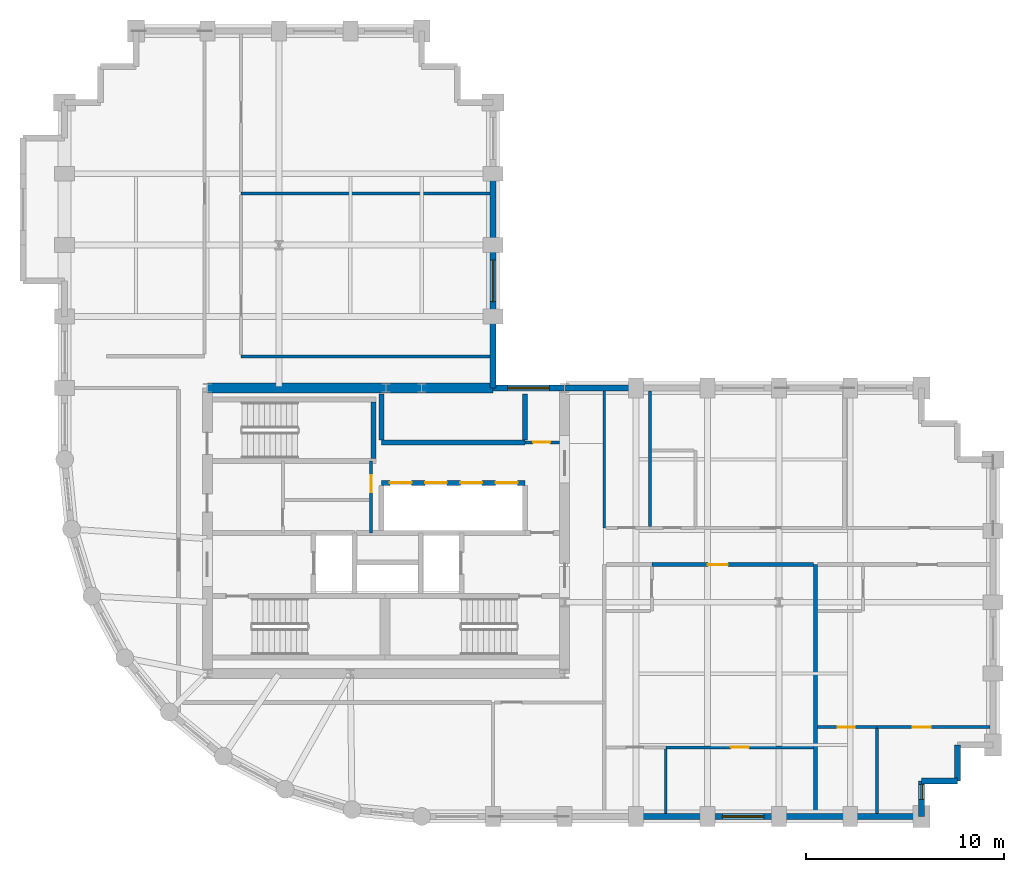
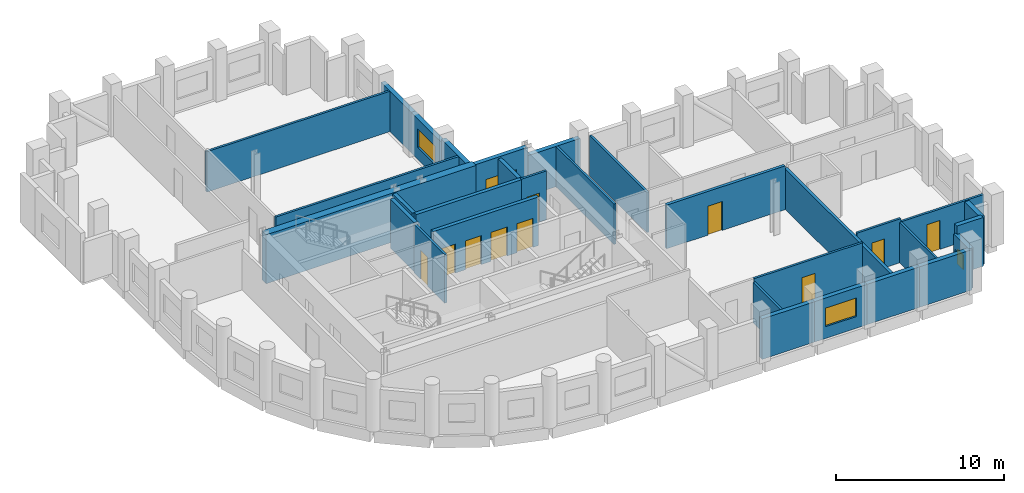
# One storey, part 5 of 8: 31 walls, 10 doors, 4 windows, 14 openings.
"""IFC4 building model written with IfcOpenShell, lengths in metres."""

from ifc_helpers import new_model, si_unit, direction, frame, frame_2d, origin, place, context, subcontext, project, spatial, rectangle, extrude, material, layer, layer_set, type_object, element, fill, save


model = new_model("IFC4")

# Units and contexts
model_context = context("Model", 3, precision=1e-05, world=origin(), true_north=direction((0.0, 1.0)))
body_context = subcontext(model_context, "Body", "Model", "MODEL_VIEW")
ifc_project = project(units=[si_unit("LENGTHUNIT", "METRE"), si_unit("AREAUNIT", "SQUARE_METRE"), si_unit("VOLUMEUNIT", "CUBIC_METRE"), si_unit("PLANEANGLEUNIT", "RADIAN"), si_unit("MASSUNIT", "GRAM", prefix="KILO")], contexts=[model_context])

# Site, building, storey
site_placement = place(None, origin())
site = spatial("IfcSite", under=ifc_project, at=site_placement, CompositionType="ELEMENT")
building_placement = place(site_placement, origin())
building = spatial("IfcBuilding", under=site, at=building_placement, Name="Solnavia Interchange Tower", CompositionType="ELEMENT")
storey_placement = place(building_placement, frame((0.0, 0.0, 161.800048828125)))
storey = spatial("IfcBuildingStorey", under=building, at=storey_placement, Name="L40", CompositionType="ELEMENT", Elevation=161.800048828125)

# Wall
ifc_material_1 = material(Name="Gypsum Acoustic Twin-Stud & Mineral Wool", Category="gypsum")
ifc_layer_1 = layer(ifc_material_1, 0.199951171875)
ifc_layer_set_1 = layer_set([ifc_layer_1], Name="Gypsum Acoustic Twin-Stud & Mineral Wool")
wall_type_1 = type_object("IfcWallType", Name="Wall-ApartmentParty-200", PredefinedType="PARTITIONING", material=ifc_layer_set_1)
wall_1_placement = place(storey_placement, frame((45.050048828125, 3.75390625, 0.0), z_axis=(0.0, 0.0, 1.0), x_axis=(0.0, 1.0, 0.0)))
element("IfcWall", 1, at=wall_1_placement, inside=storey, type_object=wall_type_1, Name="PTW-L40-13 Interior partition wall", PredefinedType="PARTITIONING", context=body_context, shape_type="SweptSolid", body=[
    extrude(rectangle(XDim=12.546142578125, YDim=0.199951171875, at=frame_2d((6.27294921875, 0.0))), origin(), (0.0, 0.0, 1.0), 2.929931640625),
])

# Wall, opening, door
wall_2_placement = place(storey_placement, frame((36.800048828125, 16.300048828125, 0.0), z_axis=(0.0, 0.0, 1.0), x_axis=(1.0, 0.0, 0.0)))
wall_2 = element("IfcWall", 2, at=wall_2_placement, inside=storey, type_object=wall_type_1, Name="PTW-L40-17 Interior partition wall", PredefinedType="PARTITIONING", context=body_context, shape_type="SweptSolid", body=[
    extrude(rectangle(XDim=8.14599609375, YDim=0.199951171875, at=frame_2d((4.072998046875, 0.0))), origin(), (0.0, 0.0, 1.0), 3.169921875),
])
opening_1_placement = place(wall_2_placement, frame((2.8291015625, 0.0, 0.0)))
opening_1 = element("IfcOpeningElement", 3, at=opening_1_placement, cuts=wall_2, Name="Opening DR-06", PredefinedType="OPENING", context=body_context, shape_type="SweptSolid", body=[
    extrude(rectangle(XDim=1.0, YDim=2.10009765625, at=frame_2d((0.5, 1.050048828125))), frame((0.0, 0.10986328125, 0.0), z_axis=(0.0, -1.0, 0.0), x_axis=(1.0, 0.0, 0.0)), (0.0, 0.0, 1.0), 0.219970703125),
])
ifc_material_2 = material(Name="Engineered Timber Acoustic Fire Door", Category="wood")
door_type_1 = type_object("IfcDoorType", Name="Door-FlatEntry-1000x2100", OperationType="SINGLE_SWING_LEFT", PredefinedType="DOOR", material=ifc_material_2)
door_1_placement = place(opening_1_placement, origin())
door_1 = element("IfcDoor", 4, at=door_1_placement, inside=storey, type_object=door_type_1, Name="DR-L40-06 Interior room door", OperationType="SINGLE_SWING_LEFT", OverallHeight=2.10009765625, OverallWidth=1.0, PredefinedType="DOOR", context=body_context, shape_type="SweptSolid", body=[
    extrude(rectangle(XDim=1.0, YDim=2.10009765625, at=frame_2d((0.5, 1.050048828125))), frame((0.0, 0.02490234375, 0.0), z_axis=(0.0, -1.0, 0.0), x_axis=(1.0, 0.0, 0.0)), (0.0, 0.0, 1.0), 0.050048828125),
])
fill(opening_1, door_1)

# Wall
ifc_material_3 = material(Name="Concrete C40/50", Category="concrete")
ifc_layer_2 = layer(ifc_material_3, 0.300048828125)
ifc_layer_set_2 = layer_set([ifc_layer_2], Name="Concrete C40/50")
wall_type_2 = type_object("IfcWallType", Name="Wall-ExtSpandrel-300", PredefinedType="STANDARD", material=ifc_layer_set_2)
wall_3_placement = place(storey_placement, frame((39.60009765625, 3.60009765625, 0.0), z_axis=(0.0, 0.0, 1.0), x_axis=(-1.0, 0.0, 0.0)))
element("IfcWall", 5, at=wall_3_placement, inside=storey, type_object=wall_type_2, Name="EXW-L40-04 Exterior precast spandrel wall", PredefinedType="STANDARD", context=body_context, shape_type="SweptSolid", body=[
    extrude(rectangle(XDim=3.60009765625, YDim=0.300048828125, at=frame_2d((1.800048828125, 0.0))), origin(), (0.0, 0.0, 1.0), 2.929931640625),
])

# Wall, opening, window
wall_4_placement = place(storey_placement, frame((43.199951171875, 3.60009765625, 0.0), z_axis=(0.0, 0.0, 1.0), x_axis=(-1.0, 0.0, 0.0)))
wall_4 = element("IfcWall", 6, at=wall_4_placement, inside=storey, type_object=wall_type_2, Name="EXW-L40-05 Exterior precast spandrel wall", PredefinedType="STANDARD", context=body_context, shape_type="SweptSolid", body=[
    extrude(rectangle(XDim=3.599853515625, YDim=0.300048828125, at=frame_2d((1.7998046875, 0.0))), origin(), (0.0, 0.0, 1.0), 2.929931640625),
])
opening_2_placement = place(wall_4_placement, frame((0.75, 0.0, 0.85009765625)))
opening_2 = element("IfcOpeningElement", 7, at=opening_2_placement, cuts=wall_4, Name="Opening WIN-01", PredefinedType="OPENING", context=body_context, shape_type="SweptSolid", body=[
    extrude(rectangle(XDim=2.10009765625, YDim=1.35009765625, at=frame_2d((1.050048828125, 0.675048828125))), frame((0.0, 0.16015625, 0.0), z_axis=(0.0, -1.0, 0.0), x_axis=(1.0, 0.0, 0.0)), (0.0, 0.0, 1.0), 0.320068359375),
])
ifc_material_4 = material(Name="Thermal-Break Aluminium & Low-E Glass", Category="aluminium")
window_type_1 = type_object("IfcWindowType", Name="Window-Ribbon-2100x1350", PartitioningType="SINGLE_PANEL", PredefinedType="WINDOW", material=ifc_material_4)
window_1_placement = place(opening_2_placement, origin())
window_1 = element("IfcWindow", 8, at=window_1_placement, inside=storey, type_object=window_type_1, Name="WIN-L40-05 Facade ribbon window", OverallHeight=1.35009765625, OverallWidth=2.10009765625, PartitioningType="SINGLE_PANEL", PredefinedType="WINDOW", context=body_context, shape_type="SweptSolid", body=[
    extrude(rectangle(XDim=2.10009765625, YDim=1.35009765625, at=frame_2d((1.050048828125, 0.675048828125))), frame((0.0, 0.030029296875, 0.0), z_axis=(0.0, -1.0, 0.0), x_axis=(1.0, 0.0, 0.0)), (0.0, 0.0, 1.0), 0.06005859375),
])
fill(opening_2, window_1)

# Walls
wall_5_placement = place(storey_placement, frame((46.800048828125, 3.60009765625, 0.0), z_axis=(0.0, 0.0, 1.0), x_axis=(-1.0, 0.0, 0.0)))
element("IfcWall", 9, at=wall_5_placement, inside=storey, type_object=wall_type_2, Name="EXW-L40-06 Exterior precast spandrel wall", PredefinedType="STANDARD", context=body_context, shape_type="SweptSolid", body=[
    extrude(rectangle(XDim=3.60009765625, YDim=0.300048828125, at=frame_2d((1.800048828125, 0.0))), origin(), (0.0, 0.0, 1.0), 2.929931640625),
])
wall_6_placement = place(storey_placement, frame((50.39990234375, 3.60009765625, 0.0), z_axis=(0.0, 0.0, 1.0), x_axis=(-1.0, 0.0, 0.0)))
element("IfcWall", 10, at=wall_6_placement, inside=storey, type_object=wall_type_2, Name="EXW-L40-07 Exterior precast spandrel wall", PredefinedType="STANDARD", context=body_context, shape_type="SweptSolid", body=[
    extrude(rectangle(XDim=3.599853515625, YDim=0.300048828125, at=frame_2d((1.7998046875, 0.0))), origin(), (0.0, 0.0, 1.0), 2.929931640625),
])

# Wall, opening, window
wall_7_placement = place(storey_placement, frame((50.39990234375, 5.39990234375, 0.0), z_axis=(0.0, 0.0, 1.0), x_axis=(0.0, -1.0, 0.0)))
wall_7 = element("IfcWall", 11, at=wall_7_placement, inside=storey, type_object=wall_type_2, Name="EXW-L40-08 Exterior precast spandrel wall", PredefinedType="STANDARD", context=body_context, shape_type="SweptSolid", body=[
    extrude(rectangle(XDim=1.7998046875, YDim=0.300048828125, at=frame_2d((0.89990234375, 0.0))), origin(), (0.0, 0.0, 1.0), 2.929931640625),
])
opening_3_placement = place(wall_7_placement, frame((0.179931640625, 0.0, 0.85009765625)))
opening_3 = element("IfcOpeningElement", 12, at=opening_3_placement, cuts=wall_7, Name="Opening WIN-08", PredefinedType="OPENING", context=body_context, shape_type="SweptSolid", body=[
    extrude(rectangle(XDim=0.75, YDim=1.050048828125, at=frame_2d((0.375, 0.52490234375))), frame((0.0, 0.16015625, 0.0), z_axis=(0.0, -1.0, 0.0), x_axis=(1.0, 0.0, 0.0)), (0.0, 0.0, 1.0), 0.320068359375),
])
window_type_2 = type_object("IfcWindowType", Name="Window-Bedroom-750x1050", PartitioningType="SINGLE_PANEL", PredefinedType="WINDOW", material=ifc_material_4)
window_2_placement = place(opening_3_placement, origin())
window_2 = element("IfcWindow", 13, at=window_2_placement, inside=storey, type_object=window_type_2, Name="WIN-L40-DW01 Dwelling bedroom window", OverallHeight=1.050048828125, OverallWidth=0.75, PartitioningType="SINGLE_PANEL", PredefinedType="WINDOW", context=body_context, shape_type="SweptSolid", body=[
    extrude(rectangle(XDim=0.75, YDim=1.050048828125, at=frame_2d((0.375, 0.52490234375))), frame((0.0, 0.030029296875, 0.0), z_axis=(0.0, -1.0, 0.0), x_axis=(1.0, 0.0, 0.0)), (0.0, 0.0, 1.0), 0.06005859375),
])
fill(opening_3, window_2)

# Walls
for number, where, z_axis, x_axis, name in (
    (14, (52.199951171875, 5.39990234375, 0.0), (0.0, 0.0, 1.0), (-1.0, 0.0, 0.0), "EXW-L40-09 Exterior precast spandrel wall"),
    (15, (52.199951171875, 7.199951171875, 0.0), (0.0, 0.0, 1.0), (0.0, -1.0, 0.0), "EXW-L40-10 Exterior precast spandrel wall"),
):
    element("IfcWall", number, at=place(storey_placement, frame(where, z_axis=z_axis, x_axis=x_axis)), inside=storey, type_object=wall_type_2, Name=name, PredefinedType="STANDARD", context=body_context, shape_type="SweptSolid", body=[
        extrude(rectangle(XDim=1.800048828125, YDim=0.300048828125, at=frame_2d((0.89990234375, 0.0))), origin(), (0.0, 0.0, 1.0), 3.534912109375),
    ])
wall_8_placement = place(storey_placement, frame((32.39990234375, 25.199951171875, 0.0), z_axis=(0.0, 0.0, 1.0), x_axis=(1.0, 0.0, 0.0)))
element("IfcWall", 16, at=wall_8_placement, inside=storey, type_object=wall_type_2, Name="EXW-L40-24 Exterior precast spandrel wall", PredefinedType="STANDARD", context=body_context, shape_type="SweptSolid", body=[
    extrude(rectangle(XDim=3.60009765625, YDim=0.300048828125, at=frame_2d((1.800048828125, 0.0))), origin(), (0.0, 0.0, 1.0), 2.929931640625),
])

# Wall, opening, window
wall_9_placement = place(storey_placement, frame((28.800048828125, 25.199951171875, 0.0), z_axis=(0.0, 0.0, 1.0), x_axis=(1.0, 0.0, 0.0)))
wall_9 = element("IfcWall", 17, at=wall_9_placement, inside=storey, type_object=wall_type_2, Name="EXW-L40-25 Exterior precast spandrel wall", PredefinedType="STANDARD", context=body_context, shape_type="SweptSolid", body=[
    extrude(rectangle(XDim=3.599853515625, YDim=0.300048828125, at=frame_2d((1.7998046875, 0.0))), origin(), (0.0, 0.0, 1.0), 3.534912109375),
])
opening_4_placement = place(wall_9_placement, frame((0.73388671875, 0.0, 0.85009765625)))
opening_4 = element("IfcOpeningElement", 18, at=opening_4_placement, cuts=wall_9, Name="Opening WIN-01", PredefinedType="OPENING", context=body_context, shape_type="SweptSolid", body=[
    extrude(rectangle(XDim=2.10009765625, YDim=1.35009765625, at=frame_2d((1.050048828125, 0.675048828125))), frame((0.0, 0.16015625, 0.0), z_axis=(0.0, -1.0, 0.0), x_axis=(1.0, 0.0, 0.0)), (0.0, 0.0, 1.0), 0.320068359375),
])
window_3_placement = place(opening_4_placement, origin())
window_3 = element("IfcWindow", 19, at=window_3_placement, inside=storey, type_object=window_type_1, Name="WIN-L40-25 Facade ribbon window", OverallHeight=1.35009765625, OverallWidth=2.10009765625, PartitioningType="SINGLE_PANEL", PredefinedType="WINDOW", context=body_context, shape_type="SweptSolid", body=[
    extrude(rectangle(XDim=2.10009765625, YDim=1.35009765625, at=frame_2d((1.050048828125, 0.675048828125))), frame((0.0, 0.030029296875, 0.0), z_axis=(0.0, -1.0, 0.0), x_axis=(1.0, 0.0, 0.0)), (0.0, 0.0, 1.0), 0.06005859375),
])
fill(opening_4, window_3)

# Wall
wall_10_placement = place(storey_placement, frame((28.800048828125, 28.800048828125, 0.0), z_axis=(0.0, 0.0, 1.0), x_axis=(0.0, -1.0, 0.0)))
element("IfcWall", 20, at=wall_10_placement, inside=storey, type_object=wall_type_2, Name="EXW-L40-26 Exterior precast spandrel wall", PredefinedType="STANDARD", context=body_context, shape_type="SweptSolid", body=[
    extrude(rectangle(XDim=3.60009765625, YDim=0.300048828125, at=frame_2d((1.800048828125, 0.0))), origin(), (0.0, 0.0, 1.0), 3.169921875),
])

# Wall, opening, window
wall_11_placement = place(storey_placement, frame((28.800048828125, 32.39990234375, 0.0), z_axis=(0.0, 0.0, 1.0), x_axis=(0.0, -1.0, 0.0)))
wall_11 = element("IfcWall", 21, at=wall_11_placement, inside=storey, type_object=wall_type_2, Name="EXW-L40-27 Exterior precast spandrel wall", PredefinedType="STANDARD", context=body_context, shape_type="SweptSolid", body=[
    extrude(rectangle(XDim=3.599853515625, YDim=0.300048828125, at=frame_2d((1.7998046875, 0.0))), origin(), (0.0, 0.0, 1.0), 2.929931640625),
])
opening_5_placement = place(wall_11_placement, frame((0.75, 0.0, 0.85009765625)))
opening_5 = element("IfcOpeningElement", 22, at=opening_5_placement, cuts=wall_11, Name="Opening WIN-01", PredefinedType="OPENING", context=body_context, shape_type="SweptSolid", body=[
    extrude(rectangle(XDim=2.10009765625, YDim=1.35009765625, at=frame_2d((1.050048828125, 0.675048828125))), frame((0.0, 0.16015625, 0.0), z_axis=(0.0, -1.0, 0.0), x_axis=(1.0, 0.0, 0.0)), (0.0, 0.0, 1.0), 0.320068359375),
])
window_4_placement = place(opening_5_placement, origin())
window_4 = element("IfcWindow", 23, at=window_4_placement, inside=storey, type_object=window_type_1, Name="WIN-L40-27 Facade ribbon window", OverallHeight=1.35009765625, OverallWidth=2.10009765625, PartitioningType="SINGLE_PANEL", PredefinedType="WINDOW", context=body_context, shape_type="SweptSolid", body=[
    extrude(rectangle(XDim=2.10009765625, YDim=1.35009765625, at=frame_2d((1.050048828125, 0.675048828125))), frame((0.0, 0.030029296875, 0.0), z_axis=(0.0, -1.0, 0.0), x_axis=(1.0, 0.0, 0.0)), (0.0, 0.0, 1.0), 0.06005859375),
])
fill(opening_5, window_4)

# Wall
wall_12_placement = place(storey_placement, frame((28.800048828125, 36.0, 0.0), z_axis=(0.0, 0.0, 1.0), x_axis=(0.0, -1.0, 0.0)))
element("IfcWall", 24, at=wall_12_placement, inside=storey, type_object=wall_type_2, Name="EXW-L40-28 Exterior precast spandrel wall", PredefinedType="STANDARD", context=body_context, shape_type="SweptSolid", body=[
    extrude(rectangle(XDim=3.60009765625, YDim=0.300048828125, at=frame_2d((1.800048828125, 0.0))), origin(), (0.0, 0.0, 1.0), 2.929931640625),
])

# Wall, opening, door
ifc_material_5 = material(Name="Gypsum Plasterboard & Steel Stud", Category="steel")
ifc_layer_3 = layer(ifc_material_5, 0.14990234375)
ifc_layer_set_3 = layer_set([ifc_layer_3], Name="Gypsum Plasterboard & Steel Stud")
wall_type_3 = type_object("IfcWallType", Name="Wall-Partition-150", PredefinedType="PARTITIONING", material=ifc_layer_set_3)
wall_13_placement = place(storey_placement, frame((22.64990234375, 17.89990234375, 0.0), z_axis=(0.0, 0.0, 1.0), x_axis=(0.0, 1.0, 0.0)))
wall_13 = element("IfcWall", 25, at=wall_13_placement, inside=storey, type_object=wall_type_3, Name="CSW-L40-E Core shaft wall", PredefinedType="PARTITIONING", context=body_context, shape_type="SweptSolid", body=[
    extrude(rectangle(XDim=3.625, YDim=0.14990234375, at=frame_2d((1.8125, 0.0))), origin(), (0.0, 0.0, 1.0), 3.534912109375),
])
opening_6_placement = place(wall_13_placement, frame((2.050048828125, 0.0, 0.0)))
opening_6 = element("IfcOpeningElement", 26, at=opening_6_placement, cuts=wall_13, Name="Opening DR-10", PredefinedType="OPENING", context=body_context, shape_type="SweptSolid", body=[
    extrude(rectangle(XDim=0.85009765625, YDim=2.10009765625, at=frame_2d((0.425048828125, 1.050048828125))), frame((0.0, 0.0849609375, 0.0), z_axis=(0.0, -1.0, 0.0), x_axis=(1.0, 0.0, 0.0)), (0.0, 0.0, 1.0), 0.169921875),
])
ifc_material_6 = material(Name="Moisture-Resistant Timber Door", Category="wood")
door_type_2 = type_object("IfcDoorType", Name="Door-Bathroom-850x2100", OperationType="SINGLE_SWING_RIGHT", PredefinedType="DOOR", material=ifc_material_6)
door_2_placement = place(opening_6_placement, origin())
door_2 = element("IfcDoor", 27, at=door_2_placement, inside=storey, type_object=door_type_2, Name="DR-L40-CS3 Core fire door", OperationType="SINGLE_SWING_LEFT", OverallHeight=2.10009765625, OverallWidth=0.85009765625, PredefinedType="DOOR", context=body_context, shape_type="SweptSolid", body=[
    extrude(rectangle(XDim=0.85009765625, YDim=2.10009765625, at=frame_2d((0.425048828125, 1.050048828125))), frame((0.0, 0.02490234375, 0.0), z_axis=(0.0, -1.0, 0.0), x_axis=(1.0, 0.0, 0.0)), (0.0, 0.0, 1.0), 0.050048828125),
])
fill(opening_6, door_2)

wall_14_placement = place(storey_placement, frame((30.39990234375, 22.4599609375, 0.0), z_axis=(0.0, 0.0, 1.0), x_axis=(1.0, 0.0, 0.0)))
wall_14 = element("IfcWall", 28, at=wall_14_placement, inside=storey, type_object=wall_type_3, Name="CSW-L40-NE-S Core shaft wall", PredefinedType="PARTITIONING", context=body_context, shape_type="SweptSolid", body=[
    extrude(rectangle(XDim=1.75, YDim=0.14990234375, at=frame_2d((0.875, 0.0))), origin(), (0.0, 0.0, 1.0), 3.534912109375),
])
opening_7_placement = place(wall_14_placement, frame((0.419921875, 0.0, 0.0)))
opening_7 = element("IfcOpeningElement", 29, at=opening_7_placement, cuts=wall_14, Name="Opening DR-10", PredefinedType="OPENING", context=body_context, shape_type="SweptSolid", body=[
    extrude(rectangle(XDim=0.85009765625, YDim=2.10009765625, at=frame_2d((0.425048828125, 1.050048828125))), frame((0.0, 0.0849609375, 0.0), z_axis=(0.0, -1.0, 0.0), x_axis=(1.0, 0.0, 0.0)), (0.0, 0.0, 1.0), 0.169921875),
])
door_3_placement = place(opening_7_placement, origin())
door_3 = element("IfcDoor", 30, at=door_3_placement, inside=storey, type_object=door_type_2, Name="DR-L40-CS4 Core fire door", OperationType="SINGLE_SWING_RIGHT", OverallHeight=2.10009765625, OverallWidth=0.85009765625, PredefinedType="DOOR", context=body_context, shape_type="SweptSolid", body=[
    extrude(rectangle(XDim=0.85009765625, YDim=2.10009765625, at=frame_2d((0.425048828125, 1.050048828125))), frame((0.0, 0.02490234375, 0.0), z_axis=(0.0, -1.0, 0.0), x_axis=(1.0, 0.0, 0.0)), (0.0, 0.0, 1.0), 0.050048828125),
])
fill(opening_7, door_3)

wall_15_placement = place(storey_placement, frame((37.5, 7.080078125, 0.0), z_axis=(0.0, 0.0, 1.0), x_axis=(1.0, 0.0, 0.0)))
wall_15 = element("IfcWall", 31, at=wall_15_placement, inside=storey, type_object=wall_type_3, Name="PTW-L40-18 Interior partition wall", PredefinedType="PARTITIONING", context=body_context, shape_type="SweptSolid", body=[
    extrude(rectangle(XDim=7.446044921875, YDim=0.14990234375, at=frame_2d((3.72314453125, 0.0))), origin(), (0.0, 0.0, 1.0), 3.169921875),
])
opening_8_placement = place(wall_15_placement, frame((3.284912109375, 0.0, 0.0)))
opening_8 = element("IfcOpeningElement", 32, at=opening_8_placement, cuts=wall_15, Name="Opening DR-09", PredefinedType="OPENING", context=body_context, shape_type="SweptSolid", body=[
    extrude(rectangle(XDim=0.89990234375, YDim=2.10009765625, at=frame_2d((0.449951171875, 1.050048828125))), frame((0.0, 0.0849609375, 0.0), z_axis=(0.0, -1.0, 0.0), x_axis=(1.0, 0.0, 0.0)), (0.0, 0.0, 1.0), 0.169921875),
])
ifc_material_7 = material(Name="Engineered Oak Veneer Door", Category="wood")
door_type_3 = type_object("IfcDoorType", Name="Door-Internal-900x2100", OperationType="SINGLE_SWING_LEFT", PredefinedType="DOOR", material=ifc_material_7)
door_4_placement = place(opening_8_placement, origin())
door_4 = element("IfcDoor", 33, at=door_4_placement, inside=storey, type_object=door_type_3, Name="DR-L40-07 Interior room door", OperationType="SINGLE_SWING_RIGHT", OverallHeight=2.10009765625, OverallWidth=0.89990234375, PredefinedType="DOOR", context=body_context, shape_type="SweptSolid", body=[
    extrude(rectangle(XDim=0.89990234375, YDim=2.10009765625, at=frame_2d((0.449951171875, 1.050048828125))), frame((0.0, 0.02490234375, 0.0), z_axis=(0.0, -1.0, 0.0), x_axis=(1.0, 0.0, 0.0)), (0.0, 0.0, 1.0), 0.050048828125),
])
fill(opening_8, door_4)

wall_16_placement = place(storey_placement, frame((48.14990234375, 8.110107421875, 0.0), z_axis=(0.0, 0.0, 1.0), x_axis=(1.0, 0.0, 0.0)))
wall_16 = element("IfcWall", 34, at=wall_16_placement, inside=storey, type_object=wall_type_3, Name="PTW-L40-25 Interior partition wall", PredefinedType="PARTITIONING", context=body_context, shape_type="SweptSolid", body=[
    extrude(rectangle(XDim=5.696044921875, YDim=0.14990234375, at=frame_2d((2.84814453125, 0.0))), origin(), (0.0, 0.0, 1.0), 2.929931640625),
])
opening_9_placement = place(wall_16_placement, frame((1.797119140625, 0.0, 0.0)))
opening_9 = element("IfcOpeningElement", 35, at=opening_9_placement, cuts=wall_16, Name="Opening DR-09", PredefinedType="OPENING", context=body_context, shape_type="SweptSolid", body=[
    extrude(rectangle(XDim=0.89990234375, YDim=2.10009765625, at=frame_2d((0.449951171875, 1.050048828125))), frame((0.0, 0.0849609375, 0.0), z_axis=(0.0, -1.0, 0.0), x_axis=(1.0, 0.0, 0.0)), (0.0, 0.0, 1.0), 0.169921875),
])
door_5_placement = place(opening_9_placement, origin())
door_5 = element("IfcDoor", 36, at=door_5_placement, inside=storey, type_object=door_type_3, Name="DR-L40-11 Interior room door", OperationType="SINGLE_SWING_RIGHT", OverallHeight=2.10009765625, OverallWidth=0.89990234375, PredefinedType="DOOR", context=body_context, shape_type="SweptSolid", body=[
    extrude(rectangle(XDim=0.89990234375, YDim=2.10009765625, at=frame_2d((0.449951171875, 1.050048828125))), frame((0.0, 0.02490234375, 0.0), z_axis=(0.0, -1.0, 0.0), x_axis=(1.0, 0.0, 0.0)), (0.0, 0.0, 1.0), 0.050048828125),
])
fill(opening_9, door_5)

# Walls
wall_17_placement = place(storey_placement, frame((16.10009765625, 26.800048828125, 0.0), z_axis=(0.0, 0.0, 1.0), x_axis=(1.0, 0.0, 0.0)))
element("IfcWall", 37, at=wall_17_placement, inside=storey, type_object=wall_type_3, Name="PTW-L40-33 Interior partition wall", PredefinedType="PARTITIONING", context=body_context, shape_type="SweptSolid", body=[
    extrude(rectangle(XDim=12.5458984375, YDim=0.14990234375, at=frame_2d((6.27294921875, 0.0))), origin(), (0.0, 0.0, 1.0), 3.169921875),
])
wall_18_placement = place(storey_placement, frame((16.10009765625, 35.0, 0.0), z_axis=(0.0, 0.0, 1.0), x_axis=(1.0, 0.0, 0.0)))
element("IfcWall", 38, at=wall_18_placement, inside=storey, type_object=wall_type_3, Name="PTW-L40-34 Interior partition wall", PredefinedType="PARTITIONING", context=body_context, shape_type="SweptSolid", body=[
    extrude(rectangle(XDim=12.5458984375, YDim=0.14990234375, at=frame_2d((6.27294921875, 0.0))), origin(), (0.0, 0.0, 1.0), 2.929931640625),
])
ifc_layer_4 = layer(ifc_material_3, 0.25)
ifc_layer_set_4 = layer_set([ifc_layer_4], Name="Concrete C40/50")
wall_type_4 = type_object("IfcWallType", Name="Wall-ShaftCore-250", PredefinedType="SHEAR", material=ifc_layer_set_4)
wall_19_placement = place(storey_placement, frame((22.77490234375, 21.64990234375, 0.0), z_axis=(0.0, 0.0, 1.0), x_axis=(0.0, 1.0, 0.0)))
element("IfcWall", 39, at=wall_19_placement, inside=storey, type_object=wall_type_4, Name="SHW-L40-ST3E Core shear wall", PredefinedType="SHEAR", context=body_context, shape_type="SweptSolid", body=[
    extrude(rectangle(XDim=2.840087890625, YDim=0.25, at=frame_2d((1.419921875, 0.0))), origin(), (0.0, 0.0, 1.0), 3.550048828125),
])

# Wall, openings, doors
ifc_layer_5 = layer(ifc_material_3, 0.25)
ifc_layer_set_5 = layer_set([ifc_layer_5], Name="Concrete C40/50")
wall_type_5 = type_object("IfcWallType", Name="Wall-ShaftPart-250", PredefinedType="PARTITIONING", material=ifc_layer_set_5)
wall_20_placement = place(storey_placement, frame((23.179931640625, 20.419921875, 0.0), z_axis=(0.0, 0.0, 1.0), x_axis=(1.0, 0.0, 0.0)))
wall_20 = element("IfcWall", 40, at=wall_20_placement, inside=storey, type_object=wall_type_5, Name="SHW-L40-B2N Core shaft wall", PredefinedType="PARTITIONING", context=body_context, shape_type="SweptSolid", body=[
    extrude(rectangle(XDim=7.219970703125, YDim=0.25, at=frame_2d((3.60986328125, 0.0))), origin(), (0.0, 0.0, 1.0), 3.534912109375),
])
opening_10_placement = place(wall_20_placement, frame((0.409912109375, 0.0, 0.0)))
opening_10 = element("IfcOpeningElement", 41, at=opening_10_placement, cuts=wall_20, Name="Opening LD-01", PredefinedType="OPENING", context=body_context, shape_type="SweptSolid", body=[
    extrude(rectangle(XDim=1.10009765625, YDim=2.10009765625, at=frame_2d((0.550048828125, 1.050048828125))), frame((0.0, 0.135009765625, 0.0), z_axis=(0.0, -1.0, 0.0), x_axis=(1.0, 0.0, 0.0)), (0.0, 0.0, 1.0), 0.27001953125),
])
opening_11_placement = place(wall_20_placement, frame((2.18994140625, 0.0, 0.0)))
opening_11 = element("IfcOpeningElement", 42, at=opening_11_placement, cuts=wall_20, Name="Opening LD-01", PredefinedType="OPENING", context=body_context, shape_type="SweptSolid", body=[
    extrude(rectangle(XDim=1.10009765625, YDim=2.10009765625, at=frame_2d((0.550048828125, 1.050048828125))), frame((0.0, 0.135009765625, 0.0), z_axis=(0.0, -1.0, 0.0), x_axis=(1.0, 0.0, 0.0)), (0.0, 0.0, 1.0), 0.27001953125),
])
opening_12_placement = place(wall_20_placement, frame((3.969970703125, 0.0, 0.0)))
opening_12 = element("IfcOpeningElement", 43, at=opening_12_placement, cuts=wall_20, Name="Opening LD-01", PredefinedType="OPENING", context=body_context, shape_type="SweptSolid", body=[
    extrude(rectangle(XDim=1.10009765625, YDim=2.10009765625, at=frame_2d((0.550048828125, 1.050048828125))), frame((0.0, 0.135009765625, 0.0), z_axis=(0.0, -1.0, 0.0), x_axis=(1.0, 0.0, 0.0)), (0.0, 0.0, 1.0), 0.27001953125),
])
opening_13_placement = place(wall_20_placement, frame((5.75, 0.0, 0.0)))
opening_13 = element("IfcOpeningElement", 44, at=opening_13_placement, cuts=wall_20, Name="Opening LD-01", PredefinedType="OPENING", context=body_context, shape_type="SweptSolid", body=[
    extrude(rectangle(XDim=1.10009765625, YDim=2.10009765625, at=frame_2d((0.550048828125, 1.050048828125))), frame((0.0, 0.135009765625, 0.0), z_axis=(0.0, -1.0, 0.0), x_axis=(1.0, 0.0, 0.0)), (0.0, 0.0, 1.0), 0.27001953125),
])
ifc_material_8 = material(Name="Brushed Stainless Steel Sliding Door", Category="steel")
door_type_4 = type_object("IfcDoorType", Name="Door-LiftLanding-1100x2100", OperationType="SLIDING_TO_LEFT", PredefinedType="DOOR", material=ifc_material_8)
door_6_placement = place(opening_10_placement, origin())
door_6 = element("IfcDoor", 45, at=door_6_placement, inside=storey, type_object=door_type_4, Name="LD-L40-B2-1 Lift landing sliding door", OperationType="SLIDING_TO_LEFT", OverallHeight=2.10009765625, OverallWidth=1.10009765625, PredefinedType="DOOR", context=body_context, shape_type="SweptSolid", body=[
    extrude(rectangle(XDim=1.10009765625, YDim=2.10009765625, at=frame_2d((0.550048828125, 1.050048828125))), frame((0.0, 0.02490234375, 0.0), z_axis=(0.0, -1.0, 0.0), x_axis=(1.0, 0.0, 0.0)), (0.0, 0.0, 1.0), 0.050048828125),
])
fill(opening_10, door_6)
door_7_placement = place(opening_11_placement, origin())
door_7 = element("IfcDoor", 46, at=door_7_placement, inside=storey, type_object=door_type_4, Name="LD-L40-B2-2 Lift landing sliding door", OperationType="SLIDING_TO_LEFT", OverallHeight=2.10009765625, OverallWidth=1.10009765625, PredefinedType="DOOR", context=body_context, shape_type="SweptSolid", body=[
    extrude(rectangle(XDim=1.10009765625, YDim=2.10009765625, at=frame_2d((0.550048828125, 1.050048828125))), frame((0.0, 0.02490234375, 0.0), z_axis=(0.0, -1.0, 0.0), x_axis=(1.0, 0.0, 0.0)), (0.0, 0.0, 1.0), 0.050048828125),
])
fill(opening_11, door_7)
door_8_placement = place(opening_12_placement, origin())
door_8 = element("IfcDoor", 47, at=door_8_placement, inside=storey, type_object=door_type_4, Name="LD-L40-B2-3 Lift landing sliding door", OperationType="SLIDING_TO_LEFT", OverallHeight=2.10009765625, OverallWidth=1.10009765625, PredefinedType="DOOR", context=body_context, shape_type="SweptSolid", body=[
    extrude(rectangle(XDim=1.10009765625, YDim=2.10009765625, at=frame_2d((0.550048828125, 1.050048828125))), frame((0.0, 0.02490234375, 0.0), z_axis=(0.0, -1.0, 0.0), x_axis=(1.0, 0.0, 0.0)), (0.0, 0.0, 1.0), 0.050048828125),
])
fill(opening_12, door_8)
door_9_placement = place(opening_13_placement, origin())
door_9 = element("IfcDoor", 48, at=door_9_placement, inside=storey, type_object=door_type_4, Name="LD-L40-B2-4 Lift landing sliding door", OperationType="SLIDING_TO_LEFT", OverallHeight=2.10009765625, OverallWidth=1.10009765625, PredefinedType="DOOR", context=body_context, shape_type="SweptSolid", body=[
    extrude(rectangle(XDim=1.10009765625, YDim=2.10009765625, at=frame_2d((0.550048828125, 1.050048828125))), frame((0.0, 0.02490234375, 0.0), z_axis=(0.0, -1.0, 0.0), x_axis=(1.0, 0.0, 0.0)), (0.0, 0.0, 1.0), 0.050048828125),
])
fill(opening_13, door_9)

# Walls
wall_21_placement = place(storey_placement, frame((23.179931640625, 22.4599609375, 0.0), z_axis=(0.0, 0.0, 1.0), x_axis=(1.0, 0.0, 0.0)))
element("IfcWall", 49, at=wall_21_placement, inside=storey, type_object=wall_type_5, Name="SHW-L40-B3S Core shaft wall", PredefinedType="PARTITIONING", context=body_context, shape_type="SweptSolid", body=[
    extrude(rectangle(XDim=7.219970703125, YDim=0.25, at=frame_2d((3.60986328125, 0.0))), origin(), (0.0, 0.0, 1.0), 3.534912109375),
])
for number, where, z_axis, x_axis, name in (
    (50, (23.179931640625, 22.5849609375, 0.0), (0.0, 0.0, 1.0), (0.0, 1.0, 0.0), "SHW-L40-B3W Core shaft wall"),
    (51, (30.39990234375, 22.5849609375, 0.0), (0.0, 0.0, 1.0), (0.0, 1.0, 0.0), "SHW-L40-B3E Core shaft wall"),
):
    element("IfcWall", number, at=place(storey_placement, frame(where, z_axis=z_axis, x_axis=x_axis)), inside=storey, type_object=wall_type_5, Name=name, PredefinedType="PARTITIONING", context=body_context, shape_type="SweptSolid", body=[
        extrude(rectangle(XDim=2.31494140625, YDim=0.25, at=frame_2d((1.157470703125, 0.0))), origin(), (0.0, 0.0, 1.0), 3.534912109375),
    ])
ifc_material_9 = material(Name="Concrete C60/75", Category="concrete")
ifc_layer_6 = layer(ifc_material_9, 0.5)
ifc_layer_set_6 = layer_set([ifc_layer_6], Name="Concrete C60/75")
wall_type_6 = type_object("IfcWallType", Name="Wall-ShearCore-500", PredefinedType="SHEAR", material=ifc_layer_set_6)
wall_22_placement = place(storey_placement, frame((14.39990234375, 25.199951171875, 0.0), z_axis=(0.0, 0.0, 1.0), x_axis=(1.0, 0.0, 0.0)))
element("IfcWall", 52, at=wall_22_placement, inside=storey, type_object=wall_type_6, Name="CRW-L40-N Core shear wall", PredefinedType="SHEAR", context=body_context, shape_type="SweptSolid", body=[
    extrude(rectangle(XDim=14.400146484375, YDim=0.5, at=frame_2d((7.2001953125, 0.0))), origin(), (0.0, 0.0, 1.0), 3.550048828125),
])
ifc_material_10 = material(Name="Moisture-Resistant Gypsum & Steel Stud", Category="steel")
ifc_layer_7 = layer(ifc_material_10, 0.14990234375)
ifc_layer_set_7 = layer_set([ifc_layer_7], Name="Moisture-Resistant Gypsum & Steel Stud")
wall_type_7 = type_object("IfcWallType", Name="Wall-WetRoom-150", PredefinedType="PARTITIONING", material=ifc_layer_set_7)
wall_23_placement = place(storey_placement, frame((34.39990234375, 18.14990234375, 0.0), z_axis=(0.0, 0.0, 1.0), x_axis=(0.0, 1.0, 0.0)))
element("IfcWall", 53, at=wall_23_placement, inside=storey, type_object=wall_type_7, Name="PTW-L40-01 Interior partition wall", PredefinedType="PARTITIONING", context=body_context, shape_type="SweptSolid", body=[
    extrude(rectangle(XDim=6.89599609375, YDim=0.14990234375, at=frame_2d((3.447998046875, 0.0))), origin(), (0.0, 0.0, 1.0), 2.929931640625),
])
wall_24_placement = place(storey_placement, frame((36.699951171875, 18.22900390625, 0.0), z_axis=(0.0, 0.0, 1.0), x_axis=(0.0, 1.0, 0.0)))
element("IfcWall", 54, at=wall_24_placement, inside=storey, type_object=wall_type_7, Name="PTW-L40-03 Interior partition wall", PredefinedType="PARTITIONING", context=body_context, shape_type="SweptSolid", body=[
    extrude(rectangle(XDim=6.81689453125, YDim=0.14990234375, at=frame_2d((3.408447265625, 0.0))), origin(), (0.0, 0.0, 1.0), 2.929931640625),
])
wall_25_placement = place(storey_placement, frame((37.5, 3.75390625, 0.0), z_axis=(0.0, 0.0, 1.0), x_axis=(0.0, 1.0, 0.0)))
element("IfcWall", 55, at=wall_25_placement, inside=storey, type_object=wall_type_7, Name="PTW-L40-20 Interior partition wall", PredefinedType="PARTITIONING", context=body_context, shape_type="SweptSolid", body=[
    extrude(rectangle(XDim=3.2470703125, YDim=0.14990234375, at=frame_2d((1.62353515625, 0.0))), origin(), (0.0, 0.0, 1.0), 2.929931640625),
])

# Wall, opening, door
wall_26_placement = place(storey_placement, frame((45.154052734375, 8.110107421875, 0.0), z_axis=(0.0, 0.0, 1.0), x_axis=(1.0, 0.0, 0.0)))
wall_26 = element("IfcWall", 56, at=wall_26_placement, inside=storey, type_object=wall_type_7, Name="PTW-L40-26 Interior partition wall", PredefinedType="PARTITIONING", context=body_context, shape_type="SweptSolid", body=[
    extrude(rectangle(XDim=2.995849609375, YDim=0.14990234375, at=frame_2d((1.498046875, 0.0))), origin(), (0.0, 0.0, 1.0), 3.169921875),
])
opening_14_placement = place(wall_26_placement, frame((1.02099609375, 0.0, 0.0)))
opening_14 = element("IfcOpeningElement", 57, at=opening_14_placement, cuts=wall_26, Name="Opening DR-10", PredefinedType="OPENING", context=body_context, shape_type="SweptSolid", body=[
    extrude(rectangle(XDim=0.85009765625, YDim=2.10009765625, at=frame_2d((0.425048828125, 1.050048828125))), frame((0.0, 0.0849609375, 0.0), z_axis=(0.0, -1.0, 0.0), x_axis=(1.0, 0.0, 0.0)), (0.0, 0.0, 1.0), 0.169921875),
])
door_10_placement = place(opening_14_placement, origin())
door_10 = element("IfcDoor", 58, at=door_10_placement, inside=storey, type_object=door_type_2, Name="DR-L40-12 Interior room door", OperationType="SINGLE_SWING_LEFT", OverallHeight=2.10009765625, OverallWidth=0.85009765625, PredefinedType="DOOR", context=body_context, shape_type="SweptSolid", body=[
    extrude(rectangle(XDim=0.85009765625, YDim=2.10009765625, at=frame_2d((0.425048828125, 1.050048828125))), frame((0.0, 0.02490234375, 0.0), z_axis=(0.0, -1.0, 0.0), x_axis=(1.0, 0.0, 0.0)), (0.0, 0.0, 1.0), 0.050048828125),
])
fill(opening_14, door_10)

# Wall
wall_27_placement = place(storey_placement, frame((48.14990234375, 3.75390625, 0.0), z_axis=(0.0, 0.0, 1.0), x_axis=(0.0, 1.0, 0.0)))
element("IfcWall", 59, at=wall_27_placement, inside=storey, type_object=wall_type_7, Name="PTW-L40-27 Interior partition wall", PredefinedType="PARTITIONING", context=body_context, shape_type="SweptSolid", body=[
    extrude(rectangle(XDim=4.277099609375, YDim=0.14990234375, at=frame_2d((2.138671875, 0.0))), origin(), (0.0, 0.0, 1.0), 2.929931640625),
])

save(model, "model.ifc")
